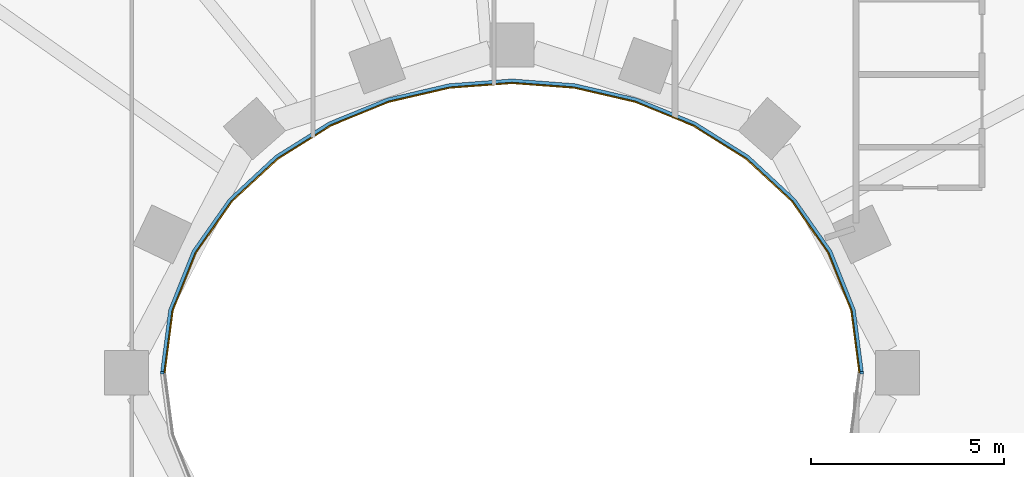
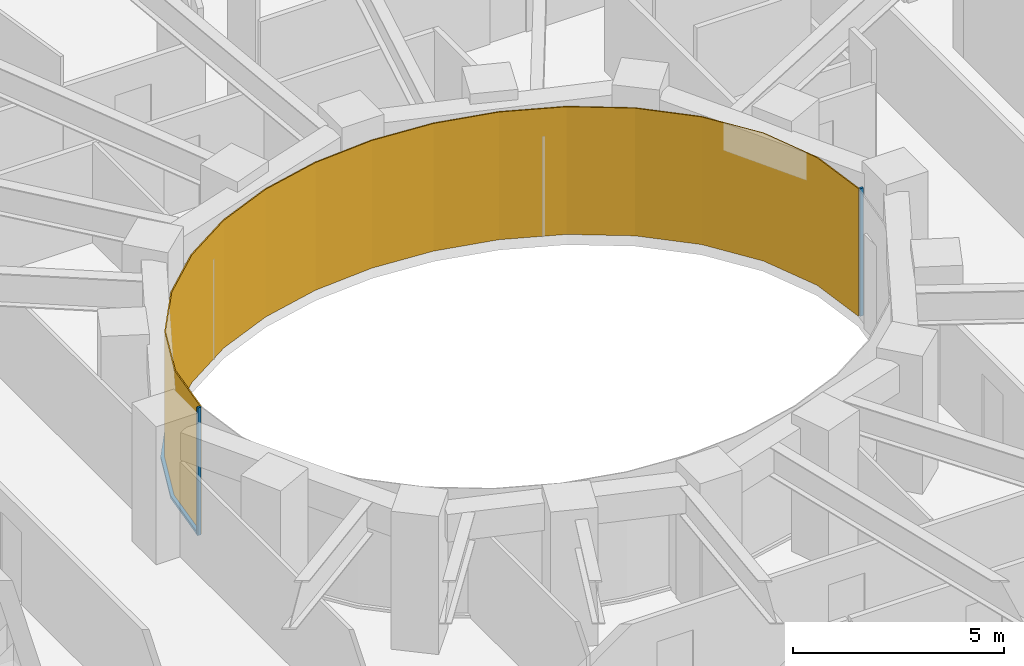
# One storey, part 12 of 16: 3 members, 1 curtain wall.
"""IFC4 building model written with IfcOpenShell, lengths in metres."""

from ifc_helpers import new_model, si_unit, direction, frame, origin, origin_2d, place, context, subcontext, project, spatial, polyline, rectangle, outline, extrude, material, layer, layer_set, material_profile, profile_set, type_object, element, aggregate, save


model = new_model("IFC4")

# Units and contexts
model_context = context("Model", 3, precision=1e-05, world=origin(), true_north=direction((0.0, 1.0)))
body_context = subcontext(model_context, "Body", "Model", "MODEL_VIEW")
ifc_project = project(units=[si_unit("LENGTHUNIT", "METRE"), si_unit("AREAUNIT", "SQUARE_METRE"), si_unit("VOLUMEUNIT", "CUBIC_METRE"), si_unit("PLANEANGLEUNIT", "RADIAN"), si_unit("MASSUNIT", "GRAM", prefix="KILO")], contexts=[model_context])

# Member
ifc_material_1 = material(Name="Steel S355 fire-resisting frame", Category="steel")
ifc_material_profile = material_profile(ifc_material_1, rectangle(XDim=0.090087890625, YDim=0.06005859375, at=origin_2d()), Name="90x60")
ifc_profile_set = profile_set([ifc_material_profile], Name="Steel S355 fire-resisting frame")
member_type_1 = type_object("IfcMemberType", Name="ENV-MULLION-W-90", PredefinedType="MULLION", material=ifc_profile_set)
site_placement = place(None, origin())
building_placement = place(site_placement, origin())
storey_placement = place(building_placement, frame((0.0, 0.0, 124.0)))
member_1_placement = place(storey_placement, frame((9.076904296875, 0.0, 0.0), z_axis=(0.0, 0.0, 1.0), x_axis=(1.0, 0.0, 0.0)))
member_1 = element("IfcMember", 1, at=member_1_placement, type_object=member_type_1, Name="Mullion W well vertex 01", PredefinedType="MULLION", context=body_context, shape_type="SweptSolid", body=[
    extrude(rectangle(XDim=0.090087890625, YDim=0.06005859375, at=origin_2d()), origin(), (0.0, 0.0, 1.0), 3.699951171875),
])

member_2_placement = place(storey_placement, frame((-9.076904296875, 0.0, 0.0), z_axis=(0.0, 0.0, 1.0), x_axis=(-1.0, 0.0, 0.0)))
member_2 = element("IfcMember", 2, at=member_2_placement, type_object=member_type_1, Name="Mullion W well vertex 17", PredefinedType="MULLION", context=body_context, shape_type="SweptSolid", body=[
    extrude(rectangle(XDim=0.090087890625, YDim=0.06005859375, at=origin_2d()), origin(), (0.0, 0.0, 1.0), 3.699951171875),
])

ifc_material_2 = material(Name="Steel S355 fire-resisting frame", Category="steel")
member_type_2 = type_object("IfcMemberType", Name="ENV-TRANSOM-W", PredefinedType="USERDEFINED", material=ifc_material_2)
member_3_placement = place(storey_placement, origin())
member_3 = element("IfcMember", 3, at=member_3_placement, type_object=member_type_2, Name="Transom W well 01-17", ObjectType="TRANSOM", PredefinedType="USERDEFINED", context=body_context, shape_type="SweptSolid", body=[
    extrude(outline(polyline([(9.119384765625, 0.02783203125), (8.910400390625, 1.63623046875), (8.29833984375, 3.167236328125), (7.35107421875, 4.5146484375), (6.1455078125, 5.6337890625), (4.75341796875, 6.50634765625), (3.233642578125, 7.127685546875), (1.635498046875, 7.498779296875), (0.0, 7.622314453125), (-1.635498046875, 7.498779296875), (-3.233642578125, 7.127685546875), (-4.75341796875, 6.50634765625), (-6.1455078125, 5.6337890625), (-7.35107421875, 4.5146484375), (-8.29833984375, 3.167236328125), (-8.910400390625, 1.63623046875), (-9.119384765625, 0.02783203125), (-9.02880859375, 0.02783203125), (-8.822509765625, 1.61328125), (-8.21875, 3.124267578125), (-7.282958984375, 4.455078125), (-6.090576171875, 5.56201171875), (-4.712158203125, 6.426025390625), (-3.206298828125, 7.04150390625), (-1.621826171875, 7.40966796875), (0.0, 7.531982421875), (1.621826171875, 7.40966796875), (3.206298828125, 7.04150390625), (4.712158203125, 6.426025390625), (6.090576171875, 5.56201171875), (7.282958984375, 4.455078125), (8.21875, 3.124267578125), (8.822509765625, 1.61328125), (9.02880859375, 0.02783203125), (9.119384765625, 0.02783203125)])), origin(), (0.0, 0.0, 1.0), 0.080078125),
])

# Site, building, storey
site = spatial("IfcSite", under=ifc_project, at=site_placement, CompositionType="ELEMENT")
building = spatial("IfcBuilding", under=site, at=building_placement, Name="Noorbagh Ring Tower", CompositionType="ELEMENT")
storey = spatial("IfcBuildingStorey", under=building, at=storey_placement, Name="L28", CompositionType="ELEMENT", Elevation=124.0)

# Curtain wall
ifc_material_3 = material(Name="Glass fire-resisting E60 laminated", Category="glass")
ifc_layer = layer(ifc_material_3, 0.031982421875)
ifc_layer_set = layer_set([ifc_layer], Name="Glass fire-resisting E60 laminated")
curtain_wall_type = type_object("IfcCurtainWallType", Name="ENV-CW-W", PredefinedType="NOTDEFINED", material=ifc_layer_set)
curtain_wall_placement = place(storey_placement, origin())
curtain_wall = element("IfcCurtainWall", 4, at=curtain_wall_placement, inside=storey, type_object=curtain_wall_type, Name="Curtain wall W W01", PredefinedType="NOTDEFINED", context=body_context, shape_type="SweptSolid", body=[
    extrude(outline(polyline([(9.0322265625, 0.0), (8.822509765625, 1.61328125), (8.21875, 3.124267578125), (7.282958984375, 4.455078125), (6.090576171875, 5.56201171875), (4.712158203125, 6.426025390625), (3.206298828125, 7.04150390625), (1.621826171875, 7.40966796875), (0.0, 7.531982421875), (-1.621826171875, 7.40966796875), (-3.206298828125, 7.04150390625), (-4.712158203125, 6.426025390625), (-6.090576171875, 5.56201171875), (-7.282958984375, 4.455078125), (-8.21875, 3.124267578125), (-8.822509765625, 1.61328125), (-9.0322265625, 0.0), (-9.0, 0.0), (-8.79150390625, 1.605224609375), (-8.1904296875, 3.10888671875), (-7.2587890625, 4.43408203125), (-6.071044921875, 5.53662109375), (-4.697509765625, 6.3974609375), (-3.196533203125, 7.010986328125), (-1.6171875, 7.3779296875), (0.0, 7.5), (1.6171875, 7.3779296875), (3.196533203125, 7.010986328125), (4.697509765625, 6.3974609375), (6.071044921875, 5.53662109375), (7.2587890625, 4.43408203125), (8.1904296875, 3.10888671875), (8.79150390625, 1.605224609375), (9.0, 0.0), (9.0322265625, 0.0)])), origin(), (0.0, 0.0, 1.0), 3.699951171875),
])

aggregate(curtain_wall, [member_1, member_2, member_3])

save(model, "model.ifc")
